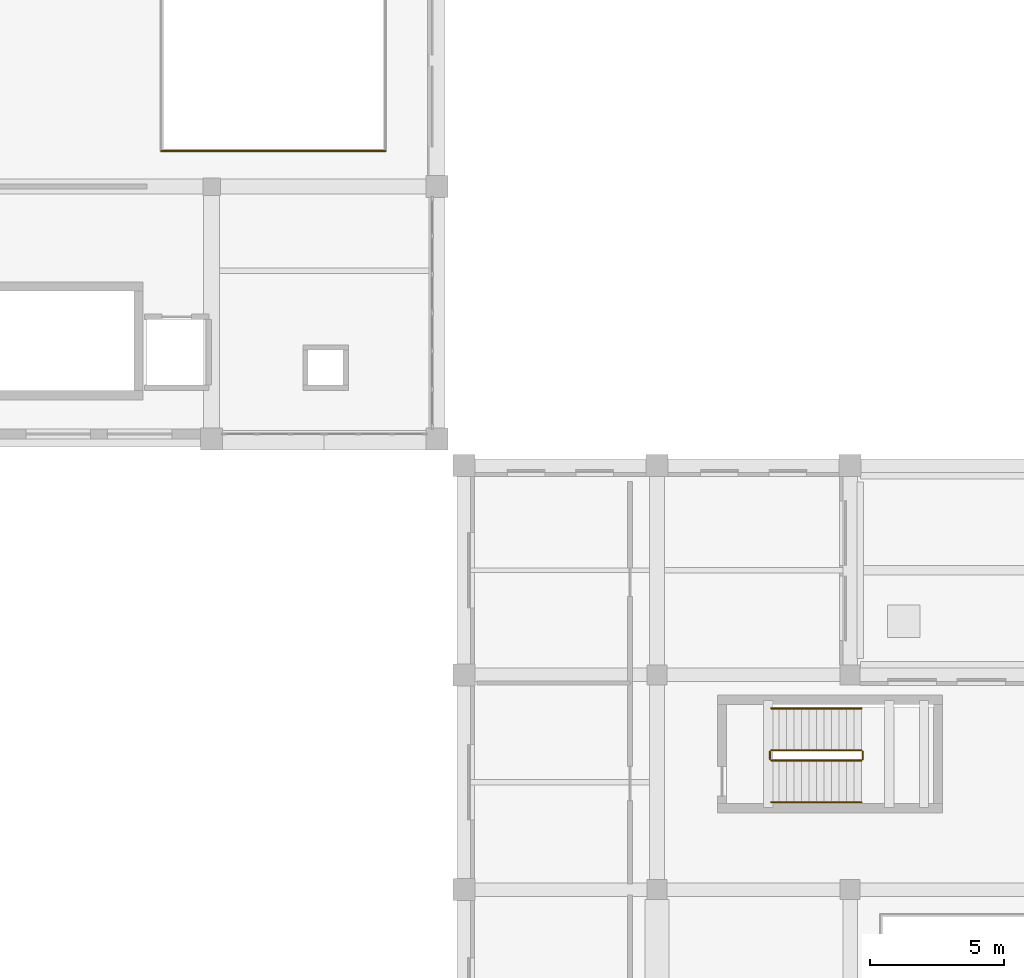
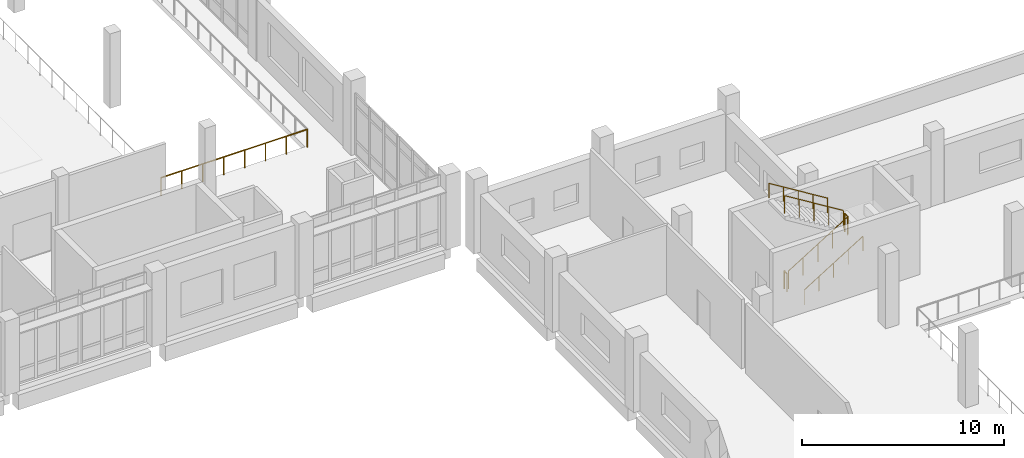
# One storey, part 52 of 54: 7 railings.
"""IFC4 building model written with IfcOpenShell, lengths in metres."""

from ifc_helpers import new_model, si_unit, direction, frame, origin, origin_2d, place, context, subcontext, project, spatial, circle, extrude, material, type_object, element, save


model = new_model("IFC4")

# Units and contexts
model_context = context("Model", 3, precision=1e-05, world=origin(), true_north=direction((0.0, 1.0)))
body_context = subcontext(model_context, "Body", "Model", "MODEL_VIEW")
ifc_project = project(units=[si_unit("LENGTHUNIT", "METRE"), si_unit("AREAUNIT", "SQUARE_METRE"), si_unit("VOLUMEUNIT", "CUBIC_METRE"), si_unit("PLANEANGLEUNIT", "RADIAN"), si_unit("MASSUNIT", "GRAM", prefix="KILO")], contexts=[model_context])

# Site, building, storey
site_placement = place(None, origin())
site = spatial("IfcSite", under=ifc_project, at=site_placement, CompositionType="ELEMENT")
building_placement = place(site_placement, origin())
building = spatial("IfcBuilding", under=site, at=building_placement, Name="Kelarvand Opera House", CompositionType="ELEMENT")
storey_placement = place(building_placement, frame((0.0, 0.0, 15.0)))
storey = spatial("IfcBuildingStorey", under=building, at=storey_placement, Name="L03", CompositionType="ELEMENT", Elevation=15.0)

# Railings
ifc_material_1 = material(Name="Brushed bronze tubular rail")
railing_type_1 = type_object("IfcRailingType", Name="Brushed Bronze Stair Wall Handrail 900", PredefinedType="HANDRAIL", material=ifc_material_1)
railing_1_placement = place(storey_placement, frame((63.4599609375, 73.64990234375, 0.173095703125)))
element("IfcRailing", 1, at=railing_1_placement, inside=storey, type_object=railing_type_1, Name="L03 ST-03 stair handrail 1", PredefinedType="HANDRAIL", context=body_context, shape_type="SweptSolid", body=[
    extrude(circle(Radius=0.02392578125, at=origin_2d()), frame((0.0, 0.0, 0.8759765625), z_axis=(0.850623216509, 0.0, 0.525775754039), x_axis=(0.0, 1.0, 0.0)), (0.0, 0.0, 1.0), 3.9501953125),
    extrude(circle(Radius=0.02099609375, at=origin_2d()), origin(), (0.0, 0.0, 1.0), 0.851806640625),
    extrude(circle(Radius=0.02099609375, at=origin_2d()), frame((0.840087890625, 0.0, 0.519287109375)), (0.0, 0.0, 1.0), 0.851806640625),
    extrude(circle(Radius=0.02099609375, at=origin_2d()), frame((1.68017578125, 0.0, 1.03857421875)), (0.0, 0.0, 1.0), 0.851806640625),
    extrude(circle(Radius=0.02099609375, at=origin_2d()), frame((2.52001953125, 0.0, 1.5576171875)), (0.0, 0.0, 1.0), 0.851806640625),
    extrude(circle(Radius=0.02099609375, at=origin_2d()), frame((3.360107421875, 0.0, 2.076904296875)), (0.0, 0.0, 1.0), 0.851806640625),
])
railing_2_placement = place(storey_placement, frame((66.820068359375, 77.14990234375, 2.423095703125)))
element("IfcRailing", 2, at=railing_2_placement, inside=storey, type_object=railing_type_1, Name="L03 ST-03 stair handrail 2", PredefinedType="HANDRAIL", context=body_context, shape_type="SweptSolid", body=[
    extrude(circle(Radius=0.02392578125, at=origin_2d()), frame((0.0, 0.0, 0.8759765625), z_axis=(-0.850623216509, 0.0, 0.525775754039), x_axis=(0.0, -1.0, 0.0)), (0.0, 0.0, 1.0), 3.9501953125),
    extrude(circle(Radius=0.02099609375, at=origin_2d()), origin(), (0.0, 0.0, 1.0), 0.851806640625),
    extrude(circle(Radius=0.02099609375, at=origin_2d()), frame((-0.840087890625, 0.0, 0.519287109375)), (0.0, 0.0, 1.0), 0.851806640625),
    extrude(circle(Radius=0.02099609375, at=origin_2d()), frame((-1.68017578125, 0.0, 1.03857421875)), (0.0, 0.0, 1.0), 0.851806640625),
    extrude(circle(Radius=0.02099609375, at=origin_2d()), frame((-2.52001953125, 0.0, 1.5576171875)), (0.0, 0.0, 1.0), 0.851806640625),
    extrude(circle(Radius=0.02099609375, at=origin_2d()), frame((-3.360107421875, 0.0, 2.076904296875)), (0.0, 0.0, 1.0), 0.851806640625),
])
ifc_material_2 = material(Name="Powder-coated Steel S355", Category="steel")
railing_type_2 = type_object("IfcRailingType", Name="Painted Steel Stair and Void Guardrail 1100", PredefinedType="GUARDRAIL", material=ifc_material_2)
railing_3_placement = place(storey_placement, frame((63.4599609375, 75.2099609375, 0.173095703125)))
element("IfcRailing", 3, at=railing_3_placement, inside=storey, type_object=railing_type_2, Name="L03 ST-03 stair guard 1", PredefinedType="GUARDRAIL", context=body_context, shape_type="SweptSolid", body=[
    extrude(circle(Radius=0.02392578125, at=origin_2d()), frame((0.0, 0.0, 1.076171875), z_axis=(0.850623216509, 0.0, 0.525775754039), x_axis=(0.0, 1.0, 0.0)), (0.0, 0.0, 1.0), 3.9501953125),
    extrude(circle(Radius=0.02099609375, at=origin_2d()), origin(), (0.0, 0.0, 1.0), 1.052001953125),
    extrude(circle(Radius=0.02099609375, at=origin_2d()), frame((0.840087890625, 0.0, 0.519287109375)), (0.0, 0.0, 1.0), 1.052001953125),
    extrude(circle(Radius=0.02099609375, at=origin_2d()), frame((1.68017578125, 0.0, 1.03857421875)), (0.0, 0.0, 1.0), 1.052001953125),
    extrude(circle(Radius=0.02099609375, at=origin_2d()), frame((2.52001953125, 0.0, 1.5576171875)), (0.0, 0.0, 1.0), 1.052001953125),
    extrude(circle(Radius=0.02099609375, at=origin_2d()), frame((3.360107421875, 0.0, 2.076904296875)), (0.0, 0.0, 1.0), 1.052001953125),
])
railing_4_placement = place(storey_placement, frame((66.8701171875, 75.260009765625, 2.25)))
element("IfcRailing", 4, at=railing_4_placement, inside=storey, type_object=railing_type_2, Name="L03 ST-03 stair guard 2", PredefinedType="GUARDRAIL", context=body_context, shape_type="SweptSolid", body=[
    extrude(circle(Radius=0.02392578125, at=origin_2d()), frame((0.0, 0.0, 1.076171875), z_axis=(0.0, 1.0, 0.0), x_axis=(-1.0, 0.0, 0.0)), (0.0, 0.0, 1.0), 0.280029296875),
    extrude(circle(Radius=0.02099609375, at=origin_2d()), origin(), (0.0, 0.0, 1.0), 1.052001953125),
    extrude(circle(Radius=0.02099609375, at=origin_2d()), frame((0.0, 0.280029296875, 0.0)), (0.0, 0.0, 1.0), 1.052001953125),
])
railing_5_placement = place(storey_placement, frame((66.820068359375, 75.590087890625, 2.423095703125)))
element("IfcRailing", 5, at=railing_5_placement, inside=storey, type_object=railing_type_2, Name="L03 ST-03 stair guard 3", PredefinedType="GUARDRAIL", context=body_context, shape_type="SweptSolid", body=[
    extrude(circle(Radius=0.02392578125, at=origin_2d()), frame((0.0, 0.0, 1.076171875), z_axis=(-0.850623216509, 0.0, 0.525775754039), x_axis=(0.0, -1.0, 0.0)), (0.0, 0.0, 1.0), 3.9501953125),
    extrude(circle(Radius=0.02099609375, at=origin_2d()), origin(), (0.0, 0.0, 1.0), 1.052001953125),
    extrude(circle(Radius=0.02099609375, at=origin_2d()), frame((-0.840087890625, 0.0, 0.519287109375)), (0.0, 0.0, 1.0), 1.052001953125),
    extrude(circle(Radius=0.02099609375, at=origin_2d()), frame((-1.68017578125, 0.0, 1.03857421875)), (0.0, 0.0, 1.0), 1.052001953125),
    extrude(circle(Radius=0.02099609375, at=origin_2d()), frame((-2.52001953125, 0.0, 1.5576171875)), (0.0, 0.0, 1.0), 1.052001953125),
    extrude(circle(Radius=0.02099609375, at=origin_2d()), frame((-3.360107421875, 0.0, 2.076904296875)), (0.0, 0.0, 1.0), 1.052001953125),
])
railing_6_placement = place(storey_placement, frame((63.409912109375, 75.260009765625, 0.0)))
element("IfcRailing", 6, at=railing_6_placement, inside=storey, type_object=railing_type_2, Name="L03 ST-03 stair guard 4", PredefinedType="GUARDRAIL", context=body_context, shape_type="SweptSolid", body=[
    extrude(circle(Radius=0.02392578125, at=origin_2d()), frame((0.0, 0.0, 1.076171875), z_axis=(0.0, 1.0, 0.0), x_axis=(-1.0, 0.0, 0.0)), (0.0, 0.0, 1.0), 0.280029296875),
    extrude(circle(Radius=0.02099609375, at=origin_2d()), origin(), (0.0, 0.0, 1.0), 1.052001953125),
    extrude(circle(Radius=0.02099609375, at=origin_2d()), frame((0.0, 0.280029296875, 0.0)), (0.0, 0.0, 1.0), 1.052001953125),
])
railing_7_placement = place(storey_placement, frame((49.080078125, 97.919921875, 0.0)))
element("IfcRailing", 7, at=railing_7_placement, inside=storey, type_object=railing_type_2, Name="V3 L03 Guardrail 91", PredefinedType="GUARDRAIL", context=body_context, shape_type="SweptSolid", body=[
    extrude(circle(Radius=0.02392578125, at=origin_2d()), frame((0.0, 0.0, 1.076171875), z_axis=(-1.0, 0.0, 0.0), x_axis=(0.0, -1.0, 0.0)), (0.0, 0.0, 1.0), 8.360107421875),
    extrude(circle(Radius=0.02099609375, at=origin_2d()), origin(), (0.0, 0.0, 1.0), 1.052001953125),
    extrude(circle(Radius=0.02099609375, at=origin_2d()), frame((-1.1943359375, 0.0, 0.0)), (0.0, 0.0, 1.0), 1.052001953125),
    extrude(circle(Radius=0.02099609375, at=origin_2d()), frame((-2.388671875, 0.0, 0.0)), (0.0, 0.0, 1.0), 1.052001953125),
    extrude(circle(Radius=0.02099609375, at=origin_2d()), frame((-3.5830078125, 0.0, 0.0)), (0.0, 0.0, 1.0), 1.052001953125),
    extrude(circle(Radius=0.02099609375, at=origin_2d()), frame((-4.777099609375, 0.0, 0.0)), (0.0, 0.0, 1.0), 1.052001953125),
    extrude(circle(Radius=0.02099609375, at=origin_2d()), frame((-5.971435546875, 0.0, 0.0)), (0.0, 0.0, 1.0), 1.052001953125),
    extrude(circle(Radius=0.02099609375, at=origin_2d()), frame((-7.165771484375, 0.0, 0.0)), (0.0, 0.0, 1.0), 1.052001953125),
    extrude(circle(Radius=0.02099609375, at=origin_2d()), frame((-8.360107421875, 0.0, 0.0)), (0.0, 0.0, 1.0), 1.052001953125),
])

save(model, "model.ifc")
